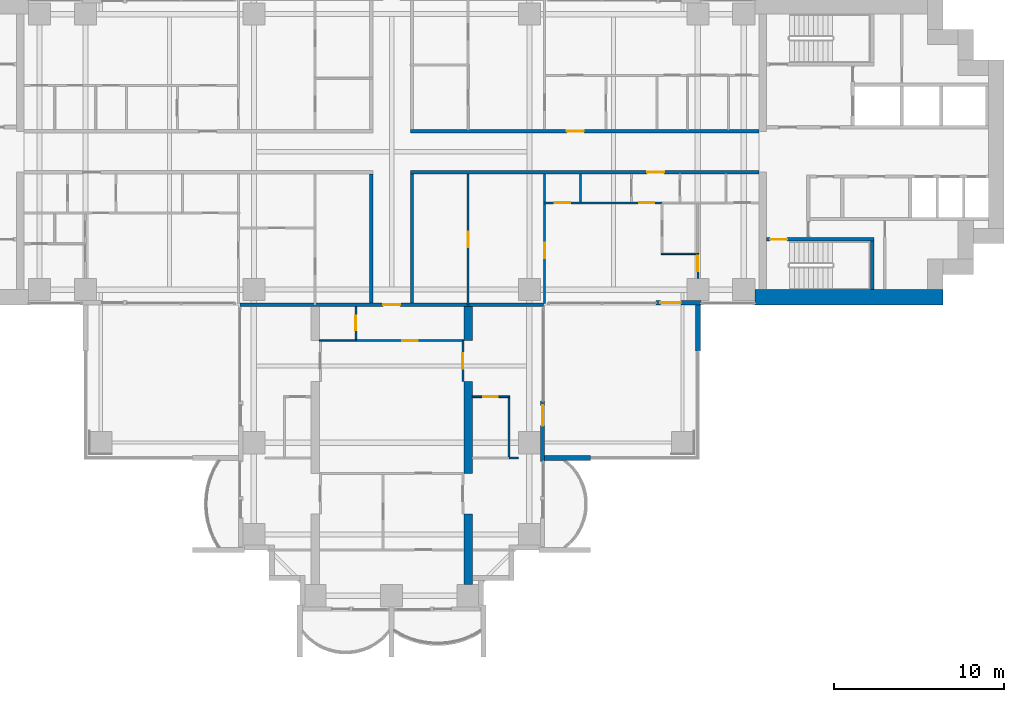
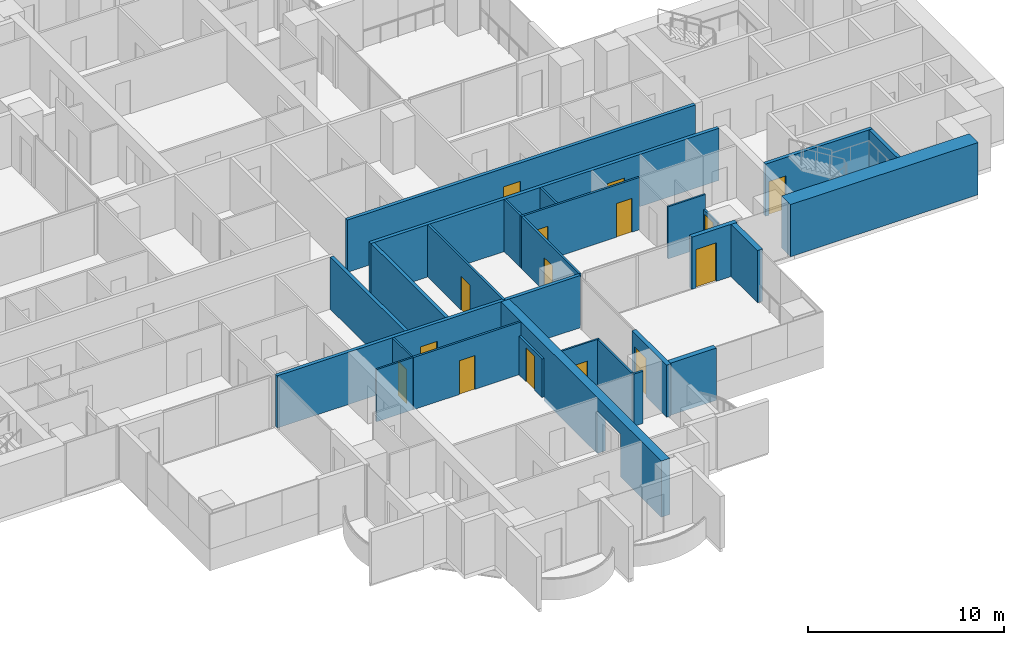
# One storey, part 12 of 21: 26 walls, 15 doors, 15 openings.
"""IFC4 building model written with IfcOpenShell, lengths in metres."""

from ifc_helpers import new_model, si_unit, direction, frame, frame_2d, origin, place, context, subcontext, project, spatial, polyline, rectangle, outline, extrude, material, layer, layer_set, material_profile, profile_set, type_object, element, fill, save


model = new_model("IFC4")

# Units and contexts
model_context = context("Model", 3, precision=1e-05, world=origin(), true_north=direction((0.0, 1.0)))
body_context = subcontext(model_context, "Body", "Model", "MODEL_VIEW")
ifc_project = project(units=[si_unit("LENGTHUNIT", "METRE"), si_unit("AREAUNIT", "SQUARE_METRE"), si_unit("VOLUMEUNIT", "CUBIC_METRE"), si_unit("PLANEANGLEUNIT", "RADIAN"), si_unit("MASSUNIT", "GRAM", prefix="KILO")], contexts=[model_context])

# Site, building, storey
site_placement = place(None, origin())
site = spatial("IfcSite", under=ifc_project, at=site_placement, CompositionType="ELEMENT")
building_placement = place(site_placement, origin())
building = spatial("IfcBuilding", under=site, at=building_placement, Name="Perihelion Cross Residences", CompositionType="ELEMENT")
storey_placement = place(building_placement, frame((0.0, 0.0, 64.5)))
storey = spatial("IfcBuildingStorey", under=building, at=storey_placement, Name="L13", CompositionType="ELEMENT", Elevation=64.5)

# Wall, opening, door
ifc_material_1 = material(Name="Plasterboard partition")
ifc_layer_1 = layer(ifc_material_1, 0.199951171875)
ifc_layer_set_1 = layer_set([ifc_layer_1], Name="Apartment separation wall 200")
wall_type_1 = type_object("IfcWallType", Name="Apartment separation wall 200", PredefinedType="PARTITIONING", material=ifc_layer_set_1)
wall_1_placement = place(storey_placement, frame((1.10009765625, 1.199951171875, 0.0), z_axis=(0.0, 0.0, 1.0), x_axis=(1.0, 0.0, 0.0)))
wall_1 = element("IfcWall", 1, at=wall_1_placement, inside=storey, type_object=wall_type_1, Name="Partition L13 W001", PredefinedType="PARTITIONING", context=body_context, shape_type="SweptSolid", body=[
    extrude(rectangle(XDim=20.5, YDim=0.199951171875, at=frame_2d((10.25, 0.0))), origin(), (0.0, 0.0, 1.0), 3.25),
])
opening_1_placement = place(wall_1_placement, frame((9.199951171875, 0.0, 0.0)))
opening_1 = element("IfcOpeningElement", 2, at=opening_1_placement, cuts=wall_1, Name="Opening L13.A53", PredefinedType="OPENING", context=body_context, shape_type="SweptSolid", body=[
    extrude(rectangle(XDim=1.0, YDim=2.10009765625, at=frame_2d((0.5, 1.050048828125))), frame((0.0, 0.10986328125, 0.0), z_axis=(0.0, -1.0, 0.0), x_axis=(1.0, 0.0, 0.0)), (0.0, 0.0, 1.0), 0.219970703125),
])
ifc_material_2 = material(Name="Timber door leaf", Category="wood")
door_type_1 = type_object("IfcDoorType", Name="Flat entrance door 1000 x 2100", OperationType="SINGLE_SWING_LEFT", PredefinedType="DOOR", material=ifc_material_2)
door_1_placement = place(opening_1_placement, origin())
door_1 = element("IfcDoor", 3, at=door_1_placement, inside=storey, type_object=door_type_1, Name="Door L13.A53", OperationType="SINGLE_SWING_LEFT", OverallHeight=2.10009765625, OverallWidth=1.0, PredefinedType="DOOR", context=body_context, shape_type="SweptSolid", body=[
    extrude(rectangle(XDim=1.0, YDim=2.10009765625, at=frame_2d((0.5, 1.050048828125))), frame((0.0, 0.02490234375, 0.0), z_axis=(0.0, -1.0, 0.0), x_axis=(1.0, 0.0, 0.0)), (0.0, 0.0, 1.0), 0.050048828125),
])
fill(opening_1, door_1)

wall_2_placement = place(storey_placement, frame((21.60009765625, -1.199951171875, 0.0), z_axis=(0.0, 0.0, 1.0), x_axis=(-1.0, 0.0, 0.0)))
wall_2 = element("IfcWall", 4, at=wall_2_placement, inside=storey, type_object=wall_type_1, Name="Partition L13 W003", PredefinedType="PARTITIONING", context=body_context, shape_type="SweptSolid", body=[
    extrude(rectangle(XDim=20.5, YDim=0.199951171875, at=frame_2d((10.25, 0.0))), origin(), (0.0, 0.0, 1.0), 3.25),
])
opening_2_placement = place(wall_2_placement, frame((5.574951171875, 0.0, 0.0)))
opening_2 = element("IfcOpeningElement", 5, at=opening_2_placement, cuts=wall_2, Name="Opening L13.A54", PredefinedType="OPENING", context=body_context, shape_type="SweptSolid", body=[
    extrude(rectangle(XDim=1.0, YDim=2.10009765625, at=frame_2d((0.5, 1.050048828125))), frame((0.0, 0.10986328125, 0.0), z_axis=(0.0, -1.0, 0.0), x_axis=(1.0, 0.0, 0.0)), (0.0, 0.0, 1.0), 0.219970703125),
])
door_2_placement = place(opening_2_placement, origin())
door_2 = element("IfcDoor", 6, at=door_2_placement, inside=storey, type_object=door_type_1, Name="Door L13.A54", OperationType="SINGLE_SWING_RIGHT", OverallHeight=2.10009765625, OverallWidth=1.0, PredefinedType="DOOR", context=body_context, shape_type="SweptSolid", body=[
    extrude(rectangle(XDim=1.0, YDim=2.10009765625, at=frame_2d((0.5, 1.050048828125))), frame((0.0, 0.02490234375, 0.0), z_axis=(0.0, -1.0, 0.0), x_axis=(1.0, 0.0, 0.0)), (0.0, 0.0, 1.0), 0.050048828125),
])
fill(opening_2, door_2)

# Walls
for number, where, z_axis, x_axis, name in (
    (7, (1.199951171875, -1.300048828125, 0.0), (0.0, 0.0, 1.0), (0.0, -1.0, 0.0), "Partition L13 W004"),
    (8, (-1.199951171875, -8.89990234375, 0.0), (0.0, 0.0, 1.0), (0.0, 1.0, 0.0), "Partition L13 W008"),
):
    element("IfcWall", number, at=place(storey_placement, frame(where, z_axis=z_axis, x_axis=x_axis)), inside=storey, type_object=wall_type_1, Name=name, PredefinedType="PARTITIONING", context=body_context, shape_type="SweptSolid", body=[
        extrude(rectangle(XDim=7.599853515625, YDim=0.199951171875, at=frame_2d((3.7998046875, 0.0))), origin(), (0.0, 0.0, 1.0), 3.25),
    ])

# Wall, opening, door
wall_3_placement = place(storey_placement, frame((8.919921875, -9.0, 0.0), z_axis=(0.0, 0.0, 1.0), x_axis=(-1.0, 0.0, 0.0)))
wall_3 = element("IfcWall", 9, at=wall_3_placement, inside=storey, type_object=wall_type_1, Name="Partition L13 W010", PredefinedType="PARTITIONING", context=body_context, shape_type="SweptSolid", body=[
    extrude(rectangle(XDim=17.83984375, YDim=0.199951171875, at=frame_2d((8.919921875, 0.0))), origin(), (0.0, 0.0, 1.0), 3.25),
])
opening_3_placement = place(wall_3_placement, frame((8.419921875, 0.0, 0.0)))
opening_3 = element("IfcOpeningElement", 10, at=opening_3_placement, cuts=wall_3, Name="Opening L13.A45", PredefinedType="OPENING", context=body_context, shape_type="SweptSolid", body=[
    extrude(rectangle(XDim=1.0, YDim=2.10009765625, at=frame_2d((0.5, 1.050048828125))), frame((0.0, 0.10986328125, 0.0), z_axis=(0.0, -1.0, 0.0), x_axis=(1.0, 0.0, 0.0)), (0.0, 0.0, 1.0), 0.219970703125),
])
door_3_placement = place(opening_3_placement, origin())
door_3 = element("IfcDoor", 11, at=door_3_placement, inside=storey, type_object=door_type_1, Name="Door L13.A45", OperationType="SINGLE_SWING_LEFT", OverallHeight=2.10009765625, OverallWidth=1.0, PredefinedType="DOOR", context=body_context, shape_type="SweptSolid", body=[
    extrude(rectangle(XDim=1.0, YDim=2.10009765625, at=frame_2d((0.5, 1.050048828125))), frame((0.0, 0.02490234375, 0.0), z_axis=(0.0, -1.0, 0.0), x_axis=(1.0, 0.0, 0.0)), (0.0, 0.0, 1.0), 0.050048828125),
])
fill(opening_3, door_3)

ifc_material_3 = material(Name="Concrete C30/37, bronze-clad", Category="concrete")
ifc_layer_2 = layer(ifc_material_3, 0.25)
ifc_layer_set_2 = layer_set([ifc_layer_2], Name="Bronze-clad pier wall 250")
wall_type_2 = type_object("IfcWallType", Name="Bronze-clad pier wall 250", PredefinedType="SOLIDWALL", material=ifc_layer_set_2)
wall_4_placement = place(storey_placement, frame((8.875, -18.199951171875, 0.0), z_axis=(0.0, 0.0, 1.0), x_axis=(0.0, 1.0, 0.0)))
wall_4 = element("IfcWall", 12, at=wall_4_placement, inside=storey, type_object=wall_type_2, Name="Wall FW1 L13 south side east bay 2 pier", PredefinedType="SOLIDWALL", context=body_context, shape_type="SweptSolid", body=[
    extrude(rectangle(XDim=3.550048828125, YDim=0.25, at=frame_2d((1.77490234375, 0.0))), origin(), (0.0, 0.0, 1.0), 3.25),
])
opening_4_placement = place(wall_4_placement, frame((2.10009765625, 0.0, 0.0)))
opening_4 = element("IfcOpeningElement", 13, at=opening_4_placement, cuts=wall_4, Name="Opening L13.E15", PredefinedType="OPENING", context=body_context, shape_type="SweptSolid", body=[
    extrude(rectangle(XDim=1.199951171875, YDim=2.39990234375, at=frame_2d((0.60009765625, 1.199951171875))), frame((0.0, 0.135009765625, 0.0), z_axis=(0.0, -1.0, 0.0), x_axis=(1.0, 0.0, 0.0)), (0.0, 0.0, 1.0), 0.27001953125),
])
ifc_material_4 = material(Name="Bronze anodised aluminium, glazed", Category="aluminium")
door_type_2 = type_object("IfcDoorType", Name="Balcony door 1200 x 2400", OperationType="NOTDEFINED", PredefinedType="DOOR", material=ifc_material_4)
door_4_placement = place(opening_4_placement, origin())
door_4 = element("IfcDoor", 14, at=door_4_placement, inside=storey, type_object=door_type_2, Name="Door L13.E15 south side east bay 2", OperationType="SINGLE_SWING_RIGHT", OverallHeight=2.39990234375, OverallWidth=1.199951171875, PredefinedType="DOOR", context=body_context, shape_type="SweptSolid", body=[
    extrude(rectangle(XDim=1.199951171875, YDim=2.39990234375, at=frame_2d((0.60009765625, 1.199951171875))), frame((0.0, 0.02490234375, 0.0), z_axis=(0.0, -1.0, 0.0), x_axis=(1.0, 0.0, 0.0)), (0.0, 0.0, 1.0), 0.050048828125),
])
fill(opening_4, door_4)

wall_5_placement = place(storey_placement, frame((15.550048828125, -8.875, 0.0), z_axis=(0.0, 0.0, 1.0), x_axis=(1.0, 0.0, 0.0)))
wall_5 = element("IfcWall", 15, at=wall_5_placement, inside=storey, type_object=wall_type_2, Name="Wall FW1 L13 east side south bay 1 pier", PredefinedType="SOLIDWALL", context=body_context, shape_type="SweptSolid", body=[
    extrude(rectangle(XDim=2.64990234375, YDim=0.25, at=frame_2d((1.324951171875, 0.0))), origin(), (0.0, 0.0, 1.0), 3.25),
])
opening_5_placement = place(wall_5_placement, frame((0.25, 0.0, 0.0)))
opening_5 = element("IfcOpeningElement", 16, at=opening_5_placement, cuts=wall_5, Name="Opening L13.E16", PredefinedType="OPENING", context=body_context, shape_type="SweptSolid", body=[
    extrude(rectangle(XDim=1.199951171875, YDim=2.39990234375, at=frame_2d((0.60009765625, 1.199951171875))), frame((0.0, 0.135009765625, 0.0), z_axis=(0.0, -1.0, 0.0), x_axis=(1.0, 0.0, 0.0)), (0.0, 0.0, 1.0), 0.27001953125),
])
door_5_placement = place(opening_5_placement, origin())
door_5 = element("IfcDoor", 17, at=door_5_placement, inside=storey, type_object=door_type_2, Name="Door L13.E16 east side south bay 1", OperationType="SINGLE_SWING_LEFT", OverallHeight=2.39990234375, OverallWidth=1.199951171875, PredefinedType="DOOR", context=body_context, shape_type="SweptSolid", body=[
    extrude(rectangle(XDim=1.199951171875, YDim=2.39990234375, at=frame_2d((0.60009765625, 1.199951171875))), frame((0.0, 0.02490234375, 0.0), z_axis=(0.0, -1.0, 0.0), x_axis=(1.0, 0.0, 0.0)), (0.0, 0.0, 1.0), 0.050048828125),
])
fill(opening_5, door_5)

# Wall
ifc_material_5 = material(Name="Concrete C60/75", Category="concrete")
ifc_layer_3 = layer(ifc_material_5, 0.89990234375)
ifc_layer_set_3 = layer_set([ifc_layer_3], Name="Core wall, outer 900")
wall_type_3 = type_object("IfcWallType", Name="Core wall, outer 900", PredefinedType="SHEAR", material=ifc_layer_set_3)
wall_6_placement = place(storey_placement, frame((21.35009765625, -8.550048828125, 0.0), z_axis=(0.0, 0.0, 1.0), x_axis=(1.0, 0.0, 0.0)))
element("IfcWall", 18, at=wall_6_placement, inside=storey, type_object=wall_type_3, Name="East core core wall, outer", PredefinedType="SHEAR", context=body_context, shape_type="SweptSolid", body=[
    extrude(rectangle(XDim=11.0498046875, YDim=0.89990234375, at=frame_2d((5.52490234375, 0.0))), origin(), (0.0, 0.0, 1.0), 3.25),
])

# Wall, opening, door
ifc_material_6 = material(Name="Plasterboard partition")
ifc_layer_4 = layer(ifc_material_6, 0.1201171875)
ifc_layer_set_4 = layer_set([ifc_layer_4], Name="Infill panel 120")
wall_type_4 = type_object("IfcWallType", Name="Infill panel 120", PredefinedType="PARTITIONING", material=ifc_layer_set_4)
wall_7_placement = place(storey_placement, frame((4.18994140625, -11.10009765625, 0.0), z_axis=(0.0, 0.0, 1.0), x_axis=(0.0, -1.0, 0.0)))
wall_7 = element("IfcWall", 19, at=wall_7_placement, inside=storey, type_object=wall_type_4, Name="Partition L13 WI05", PredefinedType="PARTITIONING", context=body_context, shape_type="SweptSolid", body=[
    extrude(rectangle(XDim=2.39990234375, YDim=0.1201171875, at=frame_2d((1.199951171875, 0.0))), origin(), (0.0, 0.0, 1.0), 2.39990234375),
])
opening_6_placement = place(wall_7_placement, frame((0.75, 0.0, 0.0)))
opening_6 = element("IfcOpeningElement", 20, at=opening_6_placement, cuts=wall_7, Name="Opening L13.A61", PredefinedType="OPENING", context=body_context, shape_type="SweptSolid", body=[
    extrude(rectangle(XDim=0.89990234375, YDim=2.10009765625, at=frame_2d((0.449951171875, 1.050048828125))), frame((0.0, 0.070068359375, 0.0), z_axis=(0.0, -1.0, 0.0), x_axis=(1.0, 0.0, 0.0)), (0.0, 0.0, 1.0), 0.14013671875),
])
ifc_material_7 = material(Name="Timber door leaf", Category="wood")
door_type_3 = type_object("IfcDoorType", Name="Interior room door 900 x 2100", OperationType="SINGLE_SWING_LEFT", PredefinedType="DOOR", material=ifc_material_7)
door_6_placement = place(opening_6_placement, origin())
door_6 = element("IfcDoor", 21, at=door_6_placement, inside=storey, type_object=door_type_3, Name="Door L13.A61", OperationType="SINGLE_SWING_RIGHT", OverallHeight=2.10009765625, OverallWidth=0.89990234375, PredefinedType="DOOR", context=body_context, shape_type="SweptSolid", body=[
    extrude(rectangle(XDim=0.89990234375, YDim=2.10009765625, at=frame_2d((0.449951171875, 1.050048828125))), frame((0.0, 0.02490234375, 0.0), z_axis=(0.0, -1.0, 0.0), x_axis=(1.0, 0.0, 0.0)), (0.0, 0.0, 1.0), 0.050048828125),
])
fill(opening_6, door_6)

# Wall
ifc_material_8 = material(Name="Plasterboard partition")
ifc_layer_5 = layer(ifc_material_8, 0.1201171875)
ifc_layer_set_5 = layer_set([ifc_layer_5], Name="Partition wall 120")
wall_type_5 = type_object("IfcWallType", Name="Partition wall 120", PredefinedType="PARTITIONING", material=ifc_layer_set_5)
wall_8_placement = place(storey_placement, frame((11.10009765625, -1.300048828125, 0.0), z_axis=(0.0, 0.0, 1.0), x_axis=(0.0, -1.0, 0.0)))
element("IfcWall", 22, at=wall_8_placement, inside=storey, type_object=wall_type_5, Name="Partition L13 W022", PredefinedType="PARTITIONING", context=body_context, shape_type="SweptSolid", body=[
    extrude(rectangle(XDim=1.639892578125, YDim=0.1201171875, at=frame_2d((0.81982421875, 0.0))), origin(), (0.0, 0.0, 1.0), 3.25),
])

# Wall, openings, doors
wall_9_placement = place(storey_placement, frame((15.89990234375, -3.0, 0.0), z_axis=(0.0, 0.0, 1.0), x_axis=(-1.0, 0.0, 0.0)))
wall_9 = element("IfcWall", 23, at=wall_9_placement, inside=storey, type_object=wall_type_5, Name="Partition L13 W023", PredefinedType="PARTITIONING", context=body_context, shape_type="SweptSolid", body=[
    extrude(rectangle(XDim=6.9599609375, YDim=0.1201171875, at=frame_2d((3.47998046875, 0.0))), origin(), (0.0, 0.0, 1.0), 3.25),
])
opening_7_placement = place(wall_9_placement, frame((0.449951171875, 0.0, 0.0)))
opening_7 = element("IfcOpeningElement", 24, at=opening_7_placement, cuts=wall_9, Name="Opening L13.A14", PredefinedType="OPENING", context=body_context, shape_type="SweptSolid", body=[
    extrude(rectangle(XDim=0.89990234375, YDim=2.10009765625, at=frame_2d((0.449951171875, 1.050048828125))), frame((0.0, 0.070068359375, 0.0), z_axis=(0.0, -1.0, 0.0), x_axis=(1.0, 0.0, 0.0)), (0.0, 0.0, 1.0), 0.14013671875),
])
opening_8_placement = place(wall_9_placement, frame((5.39990234375, 0.0, 0.0)))
opening_8 = element("IfcOpeningElement", 25, at=opening_8_placement, cuts=wall_9, Name="Opening L13.A16", PredefinedType="OPENING", context=body_context, shape_type="SweptSolid", body=[
    extrude(rectangle(XDim=0.89990234375, YDim=2.10009765625, at=frame_2d((0.449951171875, 1.050048828125))), frame((0.0, 0.070068359375, 0.0), z_axis=(0.0, -1.0, 0.0), x_axis=(1.0, 0.0, 0.0)), (0.0, 0.0, 1.0), 0.14013671875),
])
door_7_placement = place(opening_7_placement, origin())
door_7 = element("IfcDoor", 26, at=door_7_placement, inside=storey, type_object=door_type_3, Name="Door L13.A14", OperationType="SINGLE_SWING_LEFT", OverallHeight=2.10009765625, OverallWidth=0.89990234375, PredefinedType="DOOR", context=body_context, shape_type="SweptSolid", body=[
    extrude(rectangle(XDim=0.89990234375, YDim=2.10009765625, at=frame_2d((0.449951171875, 1.050048828125))), frame((0.0, 0.02490234375, 0.0), z_axis=(0.0, -1.0, 0.0), x_axis=(1.0, 0.0, 0.0)), (0.0, 0.0, 1.0), 0.050048828125),
])
fill(opening_7, door_7)
door_8_placement = place(opening_8_placement, origin())
door_8 = element("IfcDoor", 27, at=door_8_placement, inside=storey, type_object=door_type_3, Name="Door L13.A16", OperationType="SINGLE_SWING_LEFT", OverallHeight=2.10009765625, OverallWidth=0.89990234375, PredefinedType="DOOR", context=body_context, shape_type="SweptSolid", body=[
    extrude(rectangle(XDim=0.89990234375, YDim=2.10009765625, at=frame_2d((0.449951171875, 1.050048828125))), frame((0.0, 0.02490234375, 0.0), z_axis=(0.0, -1.0, 0.0), x_axis=(1.0, 0.0, 0.0)), (0.0, 0.0, 1.0), 0.050048828125),
])
fill(opening_8, door_8)

# Wall, opening, door
wall_10_placement = place(storey_placement, frame((9.0, -8.919921875, 0.0), z_axis=(0.0, 0.0, 1.0), x_axis=(0.0, 1.0, 0.0)))
wall_10 = element("IfcWall", 28, at=wall_10_placement, inside=storey, type_object=wall_type_5, Name="Partition L13 W024", PredefinedType="PARTITIONING", context=body_context, shape_type="SweptSolid", body=[
    extrude(rectangle(XDim=7.619873046875, YDim=0.1201171875, at=frame_2d((3.81005859375, 0.0))), origin(), (0.0, 0.0, 1.0), 3.25),
])
opening_9_placement = place(wall_10_placement, frame((2.669921875, 0.0, 0.0)))
opening_9 = element("IfcOpeningElement", 29, at=opening_9_placement, cuts=wall_10, Name="Opening L13.A15", PredefinedType="OPENING", context=body_context, shape_type="SweptSolid", body=[
    extrude(rectangle(XDim=0.89990234375, YDim=2.10009765625, at=frame_2d((0.449951171875, 1.050048828125))), frame((0.0, 0.070068359375, 0.0), z_axis=(0.0, -1.0, 0.0), x_axis=(1.0, 0.0, 0.0)), (0.0, 0.0, 1.0), 0.14013671875),
])
door_9_placement = place(opening_9_placement, origin())
door_9 = element("IfcDoor", 30, at=door_9_placement, inside=storey, type_object=door_type_3, Name="Door L13.A15", OperationType="SINGLE_SWING_LEFT", OverallHeight=2.10009765625, OverallWidth=0.89990234375, PredefinedType="DOOR", context=body_context, shape_type="SweptSolid", body=[
    extrude(rectangle(XDim=0.89990234375, YDim=2.10009765625, at=frame_2d((0.449951171875, 1.050048828125))), frame((0.0, 0.02490234375, 0.0), z_axis=(0.0, -1.0, 0.0), x_axis=(1.0, 0.0, 0.0)), (0.0, 0.0, 1.0), 0.050048828125),
])
fill(opening_9, door_9)

wall_11_placement = place(storey_placement, frame((18.0, -6.0, 0.0), z_axis=(0.0, 0.0, 1.0), x_axis=(0.0, -1.0, 0.0)))
wall_11 = element("IfcWall", 31, at=wall_11_placement, inside=storey, type_object=wall_type_5, Name="Partition L13 W032", PredefinedType="PARTITIONING", context=body_context, shape_type="SweptSolid", body=[
    extrude(rectangle(XDim=1.449951171875, YDim=0.1201171875, at=frame_2d((0.72509765625, 0.0))), origin(), (0.0, 0.0, 1.0), 2.345947265625),
])
opening_10_placement = place(wall_11_placement, frame((0.1201171875, 0.0, 0.0)))
opening_10 = element("IfcOpeningElement", 32, at=opening_10_placement, cuts=wall_11, Name="Opening L13.A12", PredefinedType="OPENING", context=body_context, shape_type="SweptSolid", body=[
    extrude(rectangle(XDim=0.89990234375, YDim=2.10009765625, at=frame_2d((0.449951171875, 1.050048828125))), frame((0.0, 0.070068359375, 0.0), z_axis=(0.0, -1.0, 0.0), x_axis=(1.0, 0.0, 0.0)), (0.0, 0.0, 1.0), 0.14013671875),
])
door_10_placement = place(opening_10_placement, origin())
door_10 = element("IfcDoor", 33, at=door_10_placement, inside=storey, type_object=door_type_3, Name="Door L13.A12", OperationType="SINGLE_SWING_RIGHT", OverallHeight=2.10009765625, OverallWidth=0.89990234375, PredefinedType="DOOR", context=body_context, shape_type="SweptSolid", body=[
    extrude(rectangle(XDim=0.89990234375, YDim=2.10009765625, at=frame_2d((0.449951171875, 1.050048828125))), frame((0.0, 0.02490234375, 0.0), z_axis=(0.0, -1.0, 0.0), x_axis=(1.0, 0.0, 0.0)), (0.0, 0.0, 1.0), 0.050048828125),
])
fill(opening_10, door_10)

wall_12_placement = place(storey_placement, frame((4.5, -9.0, 0.0), z_axis=(0.0, 0.0, 1.0), x_axis=(0.0, 1.0, 0.0)))
wall_12 = element("IfcWall", 34, at=wall_12_placement, inside=storey, type_object=wall_type_5, Name="Partition L13 W034", PredefinedType="PARTITIONING", context=body_context, shape_type="SweptSolid", body=[
    extrude(rectangle(XDim=7.699951171875, YDim=0.1201171875, at=frame_2d((3.85009765625, 0.0))), origin(), (0.0, 0.0, 1.0), 3.25),
])
opening_11_placement = place(wall_12_placement, frame((3.39990234375, 0.0, 0.0)))
opening_11 = element("IfcOpeningElement", 35, at=opening_11_placement, cuts=wall_12, Name="Opening L13.A10", PredefinedType="OPENING", context=body_context, shape_type="SweptSolid", body=[
    extrude(rectangle(XDim=0.89990234375, YDim=2.10009765625, at=frame_2d((0.449951171875, 1.050048828125))), frame((0.0, 0.070068359375, 0.0), z_axis=(0.0, -1.0, 0.0), x_axis=(1.0, 0.0, 0.0)), (0.0, 0.0, 1.0), 0.14013671875),
])
door_11_placement = place(opening_11_placement, origin())
door_11 = element("IfcDoor", 36, at=door_11_placement, inside=storey, type_object=door_type_3, Name="Door L13.A10", OperationType="SINGLE_SWING_LEFT", OverallHeight=2.10009765625, OverallWidth=0.89990234375, PredefinedType="DOOR", context=body_context, shape_type="SweptSolid", body=[
    extrude(rectangle(XDim=0.89990234375, YDim=2.10009765625, at=frame_2d((0.449951171875, 1.050048828125))), frame((0.0, 0.02490234375, 0.0), z_axis=(0.0, -1.0, 0.0), x_axis=(1.0, 0.0, 0.0)), (0.0, 0.0, 1.0), 0.050048828125),
])
fill(opening_11, door_11)

wall_13_placement = place(storey_placement, frame((4.25, -11.10009765625, 0.0), z_axis=(0.0, 0.0, 1.0), x_axis=(-1.0, 0.0, 0.0)))
wall_13 = element("IfcWall", 37, at=wall_13_placement, inside=storey, type_object=wall_type_5, Name="Partition L13 W079", PredefinedType="PARTITIONING", context=body_context, shape_type="SweptSolid", body=[
    extrude(rectangle(XDim=6.35009765625, YDim=0.1201171875, at=frame_2d((3.175048828125, 0.0))), origin(), (0.0, 0.0, 1.0), 3.25),
])
opening_12_placement = place(wall_13_placement, frame((2.72509765625, 0.0, 0.0)))
opening_12 = element("IfcOpeningElement", 38, at=opening_12_placement, cuts=wall_13, Name="Opening L13.A47", PredefinedType="OPENING", context=body_context, shape_type="SweptSolid", body=[
    extrude(rectangle(XDim=0.89990234375, YDim=2.10009765625, at=frame_2d((0.449951171875, 1.050048828125))), frame((0.0, 0.070068359375, 0.0), z_axis=(0.0, -1.0, 0.0), x_axis=(1.0, 0.0, 0.0)), (0.0, 0.0, 1.0), 0.14013671875),
])
door_12_placement = place(opening_12_placement, origin())
door_12 = element("IfcDoor", 39, at=door_12_placement, inside=storey, type_object=door_type_3, Name="Door L13.A47", OperationType="SINGLE_SWING_RIGHT", OverallHeight=2.10009765625, OverallWidth=0.89990234375, PredefinedType="DOOR", context=body_context, shape_type="SweptSolid", body=[
    extrude(rectangle(XDim=0.89990234375, YDim=2.10009765625, at=frame_2d((0.449951171875, 1.050048828125))), frame((0.0, 0.02490234375, 0.0), z_axis=(0.0, -1.0, 0.0), x_axis=(1.0, 0.0, 0.0)), (0.0, 0.0, 1.0), 0.050048828125),
])
fill(opening_12, door_12)

# Walls
wall_14_placement = place(storey_placement, frame((7.449951171875, -18.0, 0.0), z_axis=(0.0, 0.0, 1.0), x_axis=(-1.0, 0.0, 0.0)))
element("IfcWall", 40, at=wall_14_placement, inside=storey, type_object=wall_type_5, Name="Partition L13 W086", PredefinedType="PARTITIONING", context=body_context, shape_type="SweptSolid", body=[
    extrude(rectangle(XDim=0.550048828125, YDim=0.1201171875, at=frame_2d((0.27490234375, 0.0))), origin(), (0.0, 0.0, 1.0), 3.25),
])
ifc_material_9 = material(Name="Precast concrete C50/60", Category="concrete")
ifc_layer_6 = layer(ifc_material_9, 0.300048828125)
ifc_layer_set_6 = layer_set([ifc_layer_6], Name="Precast concrete C50/60 blade wall 300")
wall_type_6 = type_object("IfcWallType", Name="Precast concrete C50/60 blade wall 300", PredefinedType="SOLIDWALL", material=ifc_layer_set_6)
wall_15_placement = place(storey_placement, frame((9.0, -18.0, 0.0), z_axis=(0.0, 0.0, 1.0), x_axis=(1.0, 0.0, 0.0)))
element("IfcWall", 41, at=wall_15_placement, inside=storey, type_object=wall_type_6, Name="Wall BL1 L13 no. 15", PredefinedType="SOLIDWALL", context=body_context, shape_type="SweptSolid", body=[
    extrude(rectangle(XDim=2.699951171875, YDim=0.300048828125, at=frame_2d((1.35009765625, 0.0))), origin(), (0.0, 0.0, 1.0), 3.25),
])
wall_16_placement = place(storey_placement, frame((18.0, -8.75, 0.0), z_axis=(0.0, 0.0, 1.0), x_axis=(0.0, -1.0, 0.0)))
element("IfcWall", 42, at=wall_16_placement, inside=storey, type_object=wall_type_6, Name="Wall BL1 L13 no. 11", PredefinedType="SOLIDWALL", context=body_context, shape_type="SweptSolid", body=[
    extrude(rectangle(XDim=2.949951171875, YDim=0.300048828125, at=frame_2d((1.47509765625, 0.0))), origin(), (0.0, 0.0, 1.0), 3.25),
])

# Wall, opening, door
ifc_material_10 = material(Name="Concrete C50/60", Category="concrete")
ifc_layer_7 = layer(ifc_material_10, 0.199951171875)
ifc_layer_set_7 = layer_set([ifc_layer_7], Name="Stair wall 200")
wall_type_7 = type_object("IfcWallType", Name="Stair wall 200", PredefinedType="SOLIDWALL", material=ifc_layer_set_7)
wall_17_placement = place(storey_placement, frame((22.050048828125, -5.14990234375, 0.0), z_axis=(0.0, 0.0, 1.0), x_axis=(1.0, 0.0, 0.0)))
wall_17 = element("IfcWall", 43, at=wall_17_placement, inside=storey, type_object=wall_type_7, Name="East core stair wall", PredefinedType="SOLIDWALL", context=body_context, shape_type="SweptSolid", body=[
    extrude(rectangle(XDim=6.300048828125, YDim=0.199951171875, at=frame_2d((3.14990234375, 0.0))), origin(), (0.0, 0.0, 1.0), 3.25),
])
opening_13_placement = place(wall_17_placement, frame((0.199951171875, 0.0, 0.0)))
opening_13 = element("IfcOpeningElement", 44, at=opening_13_placement, cuts=wall_17, Name="Opening L13.C05", PredefinedType="OPENING", context=body_context, shape_type="SweptSolid", body=[
    extrude(rectangle(XDim=1.0, YDim=2.10009765625, at=frame_2d((0.5, 1.050048828125))), frame((0.0, 0.10986328125, 0.0), z_axis=(0.0, -1.0, 0.0), x_axis=(1.0, 0.0, 0.0)), (0.0, 0.0, 1.0), 0.219970703125),
])
ifc_material_11 = material(Name="Steel, powder coated", Category="steel")
door_type_4 = type_object("IfcDoorType", Name="Stair door 1000", OperationType="SINGLE_SWING_LEFT", PredefinedType="DOOR", material=ifc_material_11)
door_13_placement = place(opening_13_placement, origin())
door_13 = element("IfcDoor", 45, at=door_13_placement, inside=storey, type_object=door_type_4, Name="East core stair door", OperationType="SINGLE_SWING_LEFT", OverallHeight=2.10009765625, OverallWidth=1.0, PredefinedType="DOOR", context=body_context, shape_type="SweptSolid", body=[
    extrude(rectangle(XDim=1.0, YDim=2.10009765625, at=frame_2d((0.5, 1.050048828125))), frame((0.0, 0.02490234375, 0.0), z_axis=(0.0, -1.0, 0.0), x_axis=(1.0, 0.0, 0.0)), (0.0, 0.0, 1.0), 0.050048828125),
])
fill(opening_13, door_13)

# Walls
wall_18_placement = place(storey_placement, frame((28.25, -8.10009765625, 0.0), z_axis=(0.0, 0.0, 1.0), x_axis=(0.0, 1.0, 0.0)))
element("IfcWall", 46, at=wall_18_placement, inside=storey, type_object=wall_type_7, Name="East core stair wall", PredefinedType="SOLIDWALL", context=body_context, shape_type="SweptSolid", body=[
    extrude(rectangle(XDim=2.85009765625, YDim=0.199951171875, at=frame_2d((1.425048828125, 0.0))), origin(), (0.0, 0.0, 1.0), 3.25),
])
ifc_material_12 = material(Name="Concrete C60/75", Category="concrete")
ifc_material_profile = material_profile(ifc_material_12, outline(polyline([(0.0, 0.0), (4.14990234375, 0.0), (4.14990234375, 2.64990234375), (6.550048828125, 2.64990234375), (6.550048828125, 0.0), (11.949951171875, 0.0), (11.949951171875, 2.64990234375), (14.35009765625, 2.64990234375), (14.35009765625, 0.0), (16.449951171875, 0.0), (16.449951171875, 3.5), (0.0, 3.5), (0.0, 0.0)])), Name="Tip spine wall")
ifc_profile_set = profile_set([ifc_material_profile], Name="Concrete C60/75")
wall_type_8 = type_object("IfcWallType", Name="Tip spine wall 500 with 2 door openings 16450 long 3500 high concrete C60/75 hand A", PredefinedType="SHEAR", material=ifc_profile_set)
wall_19_placement = place(storey_placement, frame((4.25, -25.449951171875, -0.25), z_axis=(1.0, 0.0, 0.0), x_axis=(0.0, 1.0, 0.0)))
element("IfcWall", 47, at=wall_19_placement, inside=storey, type_object=wall_type_8, Name="Shear wall SW24 L13 south east", PredefinedType="SHEAR", context=body_context, shape_type="SweptSolid", body=[
    extrude(outline(polyline([(0.0, 0.0), (4.14990234375, 0.0), (4.14990234375, 2.64990234375), (6.550048828125, 2.64990234375), (6.550048828125, 0.0), (11.949951171875, 0.0), (11.949951171875, 2.64990234375), (14.35009765625, 2.64990234375), (14.35009765625, 0.0), (16.449951171875, 0.0), (16.449951171875, 3.5), (0.0, 3.5), (0.0, 0.0)])), origin(), (0.0, 0.0, 1.0), 0.5),
])
ifc_material_13 = material(Name="Plasterboard partition")
ifc_layer_8 = layer(ifc_material_13, 0.10009765625)
ifc_layer_set_8 = layer_set([ifc_layer_8], Name="Wet room wall 100")
wall_type_9 = type_object("IfcWallType", Name="Wet room wall 100", PredefinedType="PARTITIONING", material=ifc_layer_set_8)
wall_20_placement = place(storey_placement, frame((15.85009765625, -6.0, 0.0), z_axis=(0.0, 0.0, 1.0), x_axis=(1.0, 0.0, 0.0)))
element("IfcWall", 48, at=wall_20_placement, inside=storey, type_object=wall_type_9, Name="Partition L13 W031", PredefinedType="PARTITIONING", context=body_context, shape_type="SweptSolid", body=[
    extrude(rectangle(XDim=2.2099609375, YDim=0.10009765625, at=frame_2d((1.10498046875, 0.0))), origin(), (0.0, 0.0, 1.0), 3.25),
])

# Wall, opening, door
wall_21_placement = place(storey_placement, frame((-2.10009765625, -11.0400390625, 0.0), z_axis=(0.0, 0.0, 1.0), x_axis=(0.0, 1.0, 0.0)))
wall_21 = element("IfcWall", 49, at=wall_21_placement, inside=storey, type_object=wall_type_9, Name="Partition L13 W078", PredefinedType="PARTITIONING", context=body_context, shape_type="SweptSolid", body=[
    extrude(rectangle(XDim=1.93994140625, YDim=0.10009765625, at=frame_2d((0.969970703125, 0.0))), origin(), (0.0, 0.0, 1.0), 3.25),
])
opening_14_placement = place(wall_21_placement, frame((0.544921875, 0.0, 0.0)))
opening_14 = element("IfcOpeningElement", 50, at=opening_14_placement, cuts=wall_21, Name="Opening L13.A46", PredefinedType="OPENING", context=body_context, shape_type="SweptSolid", body=[
    extrude(rectangle(XDim=0.85009765625, YDim=2.10009765625, at=frame_2d((0.425048828125, 1.050048828125))), frame((0.0, 0.06005859375, 0.0), z_axis=(0.0, -1.0, 0.0), x_axis=(1.0, 0.0, 0.0)), (0.0, 0.0, 1.0), 0.1201171875),
])
ifc_material_14 = material(Name="Timber door leaf", Category="wood")
door_type_5 = type_object("IfcDoorType", Name="Interior bathroom door 850 x 2100", OperationType="SINGLE_SWING_LEFT", PredefinedType="DOOR", material=ifc_material_14)
door_14_placement = place(opening_14_placement, origin())
door_14 = element("IfcDoor", 51, at=door_14_placement, inside=storey, type_object=door_type_5, Name="Door L13.A46", OperationType="SINGLE_SWING_RIGHT", OverallHeight=2.10009765625, OverallWidth=0.85009765625, PredefinedType="DOOR", context=body_context, shape_type="SweptSolid", body=[
    extrude(rectangle(XDim=0.85009765625, YDim=2.10009765625, at=frame_2d((0.425048828125, 1.050048828125))), frame((0.0, 0.02490234375, 0.0), z_axis=(0.0, -1.0, 0.0), x_axis=(1.0, 0.0, 0.0)), (0.0, 0.0, 1.0), 0.050048828125),
])
fill(opening_14, door_14)

# Walls
wall_22_placement = place(storey_placement, frame((-2.10009765625, -11.10009765625, 0.0), z_axis=(0.0, 0.0, 1.0), x_axis=(-1.0, 0.0, 0.0)))
element("IfcWall", 52, at=wall_22_placement, inside=storey, type_object=wall_type_9, Name="Partition L13 W080", PredefinedType="PARTITIONING", context=body_context, shape_type="SweptSolid", body=[
    extrude(rectangle(XDim=2.14990234375, YDim=0.10009765625, at=frame_2d((1.074951171875, 0.0))), origin(), (0.0, 0.0, 1.0), 3.25),
])
wall_23_placement = place(storey_placement, frame((6.89990234375, -17.93994140625, 0.0), z_axis=(0.0, 0.0, 1.0), x_axis=(0.0, 1.0, 0.0)))
element("IfcWall", 53, at=wall_23_placement, inside=storey, type_object=wall_type_9, Name="Partition L13 W084", PredefinedType="PARTITIONING", context=body_context, shape_type="SweptSolid", body=[
    extrude(rectangle(XDim=3.489990234375, YDim=0.10009765625, at=frame_2d((1.7451171875, 0.0))), origin(), (0.0, 0.0, 1.0), 3.25),
])

# Wall, opening, door
wall_24_placement = place(storey_placement, frame((6.949951171875, -14.39990234375, 0.0), z_axis=(0.0, 0.0, 1.0), x_axis=(-1.0, 0.0, 0.0)))
wall_24 = element("IfcWall", 54, at=wall_24_placement, inside=storey, type_object=wall_type_9, Name="Partition L13 W085", PredefinedType="PARTITIONING", context=body_context, shape_type="SweptSolid", body=[
    extrude(rectangle(XDim=2.199951171875, YDim=0.10009765625, at=frame_2d((1.10009765625, 0.0))), origin(), (0.0, 0.0, 1.0), 3.25),
])
opening_15_placement = place(wall_24_placement, frame((0.699951171875, 0.0, 0.0)))
opening_15 = element("IfcOpeningElement", 55, at=opening_15_placement, cuts=wall_24, Name="Opening L13.A51", PredefinedType="OPENING", context=body_context, shape_type="SweptSolid", body=[
    extrude(rectangle(XDim=0.85009765625, YDim=2.10009765625, at=frame_2d((0.425048828125, 1.050048828125))), frame((0.0, 0.06005859375, 0.0), z_axis=(0.0, -1.0, 0.0), x_axis=(1.0, 0.0, 0.0)), (0.0, 0.0, 1.0), 0.1201171875),
])
door_15_placement = place(opening_15_placement, origin())
door_15 = element("IfcDoor", 56, at=door_15_placement, inside=storey, type_object=door_type_5, Name="Door L13.A51", OperationType="SINGLE_SWING_LEFT", OverallHeight=2.10009765625, OverallWidth=0.85009765625, PredefinedType="DOOR", context=body_context, shape_type="SweptSolid", body=[
    extrude(rectangle(XDim=0.85009765625, YDim=2.10009765625, at=frame_2d((0.425048828125, 1.050048828125))), frame((0.0, 0.02490234375, 0.0), z_axis=(0.0, -1.0, 0.0), x_axis=(1.0, 0.0, 0.0)), (0.0, 0.0, 1.0), 0.050048828125),
])
fill(opening_15, door_15)

save(model, "model.ifc")
